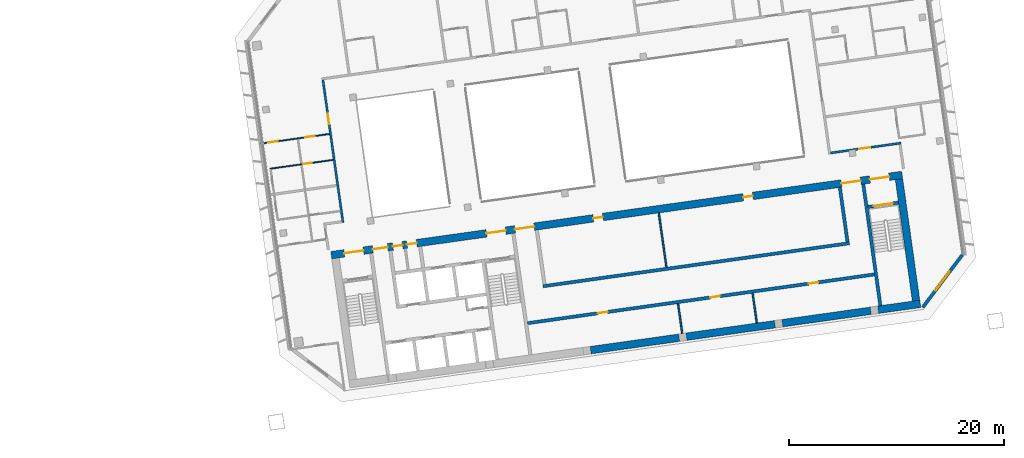
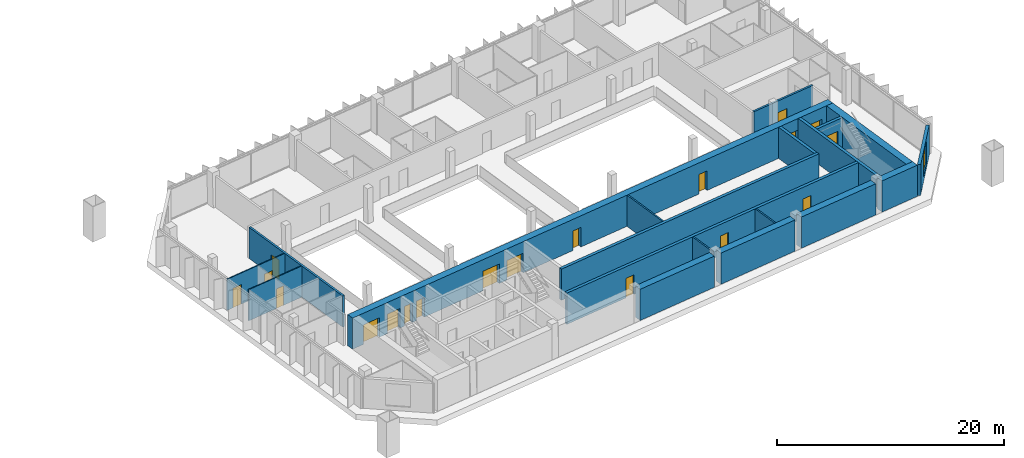
# One storey, part 21 of 26: 19 doors, 19 walls, 1 window, 20 openings.
"""IFC4 building model written with IfcOpenShell, lengths in metres."""

from ifc_helpers import new_model, si_unit, direction, frame, frame_2d, origin, place, context, subcontext, project, spatial, rectangle, extrude, material, layer, layer_set, type_object, element, fill, save


model = new_model("IFC4")

# Units and contexts
model_context = context("Model", 3, precision=1e-05, world=origin(), true_north=direction((0.0, 1.0)))
body_context = subcontext(model_context, "Body", "Model", "MODEL_VIEW")
ifc_project = project(units=[si_unit("LENGTHUNIT", "METRE"), si_unit("AREAUNIT", "SQUARE_METRE"), si_unit("VOLUMEUNIT", "CUBIC_METRE"), si_unit("PLANEANGLEUNIT", "RADIAN"), si_unit("MASSUNIT", "GRAM", prefix="KILO")], contexts=[model_context])

# Site, building, storey
site_placement = place(None, origin())
site = spatial("IfcSite", under=ifc_project, at=site_placement, CompositionType="ELEMENT")
building_placement = place(site_placement, origin())
building = spatial("IfcBuilding", under=site, at=building_placement, Name="Mirante Cascada Hotel Towers", CompositionType="ELEMENT")
storey_placement = place(building_placement, frame((0.0, 0.0, 168.8)))
storey = spatial("IfcBuildingStorey", under=building, at=storey_placement, Name="L39", CompositionType="ELEMENT", Elevation=168.8)

# Wall, opening, door
ifc_material_1 = material(Name="Fire-rated plasterboard on metal studs")
ifc_layer_1 = layer(ifc_material_1, 0.2)
ifc_layer_set_1 = layer_set([ifc_layer_1], Name="Compartment wall 200 EI 120")
wall_type_1 = type_object("IfcWallType", Name="Compartment wall 200 EI 120", PredefinedType="PARTITIONING", material=ifc_layer_set_1)
wall_1_placement = place(storey_placement, frame((81.9671, 1.8701, 0.0), z_axis=(0.0, 0.0, 1.0), x_axis=(0.990269, 0.1391661, 0.0)))
wall_1 = element("IfcWall", 1, at=wall_1_placement, inside=storey, type_object=wall_type_1, Name="Wall 2-L39-04", PredefinedType="PARTITIONING", context=body_context, shape_type="SweptSolid", body=[
    extrude(rectangle(XDim=6.6, YDim=0.2, at=frame_2d((3.3, 0.0))), origin(), (0.0, 0.0, 1.0), 3.35),
])
opening_1_placement = place(wall_1_placement, frame((2.7, 0.0, 0.0)))
opening_1 = element("IfcOpeningElement", 2, at=opening_1_placement, cuts=wall_1, Name="Opening D2-L39-04", PredefinedType="OPENING", context=body_context, shape_type="SweptSolid", body=[
    extrude(rectangle(XDim=1.0, YDim=2.1, at=frame_2d((0.5, 1.05))), frame((0.0, 0.1, 0.0), z_axis=(0.0, -1.0, 0.0), x_axis=(1.0, 0.0, 0.0)), (0.0, 0.0, 1.0), 0.2),
])
ifc_material_2 = material(Name="Fire-rated timber door leaf", Category="wood")
door_type_1 = type_object("IfcDoorType", Name="Entrance door DG1 1000x2100 EI 60", OperationType="SINGLE_SWING_LEFT", PredefinedType="DOOR", material=ifc_material_2)
door_1_placement = place(opening_1_placement, frame((1.0, 0.0, 0.0), z_axis=(0.0, 0.0, 1.0), x_axis=(-1.0, 0.0, 0.0)))
door_1 = element("IfcDoor", 3, at=door_1_placement, inside=storey, type_object=door_type_1, Name="Door D2-L39-04", OperationType="SINGLE_SWING_RIGHT", OverallHeight=2.1, OverallWidth=1.0, PredefinedType="DOOR", context=body_context, shape_type="SweptSolid", body=[
    extrude(rectangle(XDim=1.0, YDim=2.1, at=frame_2d((0.5, 1.05))), frame((0.0, 0.025, 0.0), z_axis=(0.0, -1.0, 0.0), x_axis=(1.0, 0.0, 0.0)), (0.0, 0.0, 1.0), 0.05),
])
fill(opening_1, door_1)

wall_2_placement = place(storey_placement, frame((34.7618, 8.6665, 0.0), z_axis=(0.0, 0.0, 1.0), x_axis=(0.1391789, -0.9902673, 0.0)))
wall_2 = element("IfcWall", 4, at=wall_2_placement, inside=storey, type_object=wall_type_1, Name="Wall 2-L39-29", PredefinedType="PARTITIONING", context=body_context, shape_type="SweptSolid", body=[
    extrude(rectangle(XDim=13.4, YDim=0.2, at=frame_2d((6.7, 0.0))), origin(), (0.0, 0.0, 1.0), 3.35),
])
opening_2_placement = place(wall_2_placement, frame((3.1834, 0.0, 0.0)))
opening_2 = element("IfcOpeningElement", 5, at=opening_2_placement, cuts=wall_2, Name="Opening D2-L39-28", PredefinedType="OPENING", context=body_context, shape_type="SweptSolid", body=[
    extrude(rectangle(XDim=1.0, YDim=2.1, at=frame_2d((0.5, 1.05))), frame((0.0, 0.1, 0.0), z_axis=(0.0, -1.0, 0.0), x_axis=(1.0, 0.0, 0.0)), (0.0, 0.0, 1.0), 0.2),
])
door_2_placement = place(opening_2_placement, frame((1.0, 0.0, 0.0), z_axis=(0.0, 0.0, 1.0), x_axis=(-1.0, 0.0, 0.0)))
door_2 = element("IfcDoor", 6, at=door_2_placement, inside=storey, type_object=door_type_1, Name="Door D2-L39-28", OperationType="SINGLE_SWING_RIGHT", OverallHeight=2.1, OverallWidth=1.0, PredefinedType="DOOR", context=body_context, shape_type="SweptSolid", body=[
    extrude(rectangle(XDim=1.0, YDim=2.1, at=frame_2d((0.5, 1.05))), frame((0.0, 0.025, 0.0), z_axis=(0.0, -1.0, 0.0), x_axis=(1.0, 0.0, 0.0)), (0.0, 0.0, 1.0), 0.05),
])
fill(opening_2, door_2)

# Walls
ifc_material_3 = material(Name="Masonry block", Category="masonry")
ifc_layer_2 = layer(ifc_material_3, 0.15)
ifc_layer_set_2 = layer_set([ifc_layer_2], Name="Core room partition 150 block EI 30")
wall_type_2 = type_object("IfcWallType", Name="Core room partition 150 block EI 30", PredefinedType="PARTITIONING", material=ifc_layer_set_2)
for number, where, z_axis, x_axis, name in (
    (7, (68.1687, -14.9136, 0.0), (0.0, 0.0, 1.0), (-0.139181, 0.990267, 0.0), "Core wall partition T2 L39 6"),
    (8, (75.1006, -13.9394, 0.0), (0.0, 0.0, 1.0), (-0.139181, 0.990267, 0.0), "Core wall partition T2 L39 7"),
):
    element("IfcWall", number, at=place(storey_placement, frame(where, z_axis=z_axis, x_axis=x_axis)), inside=storey, type_object=wall_type_2, Name=name, PredefinedType="PARTITIONING", context=body_context, shape_type="SweptSolid", body=[
        extrude(rectangle(XDim=2.8, YDim=0.15, at=frame_2d((1.4, 0.0))), origin(), (0.0, 0.0, 1.0), 3.35),
    ])
wall_3_placement = place(storey_placement, frame((66.6977, -8.7584, 0.0), z_axis=(0.0, 0.0, 1.0), x_axis=(-0.1391782, 0.9902673, 0.0)))
element("IfcWall", 9, at=wall_3_placement, inside=storey, type_object=wall_type_2, Name="Core wall partition T2 L39 8", PredefinedType="PARTITIONING", context=body_context, shape_type="SweptSolid", body=[
    extrude(rectangle(XDim=5.0999, YDim=0.15, at=frame_2d((2.55, 0.0))), origin(), (0.0, 0.0, 1.0), 3.35),
])

# Wall, openings, doors
ifc_material_4 = material(Name="Masonry block", Category="masonry")
ifc_layer_3 = layer(ifc_material_4, 0.3)
ifc_layer_set_3 = layer_set([ifc_layer_3], Name="Core wall 300 block EI 120")
wall_type_3 = type_object("IfcWallType", Name="Core wall 300 block EI 120", PredefinedType="PARTITIONING", material=ifc_layer_set_3)
wall_4_placement = place(storey_placement, frame((53.7953, -13.9547, 0.0), z_axis=(0.0, 0.0, 1.0), x_axis=(0.990268, 0.1391733, 0.0)))
wall_4 = element("IfcWall", 10, at=wall_4_placement, inside=storey, type_object=wall_type_3, Name="Core wall partition T2 L39 5", PredefinedType="PARTITIONING", context=body_context, shape_type="SweptSolid", body=[
    extrude(rectangle(XDim=32.5501, YDim=0.3, at=frame_2d((16.275, 0.0))), origin(), (0.0, 0.0, 1.0), 3.35),
])
opening_3_placement = place(wall_4_placement, frame((6.6, 0.0, 0.0)))
opening_3 = element("IfcOpeningElement", 11, at=opening_3_placement, cuts=wall_4, Name="Opening D2-39-C20", PredefinedType="OPENING", context=body_context, shape_type="SweptSolid", body=[
    extrude(rectangle(XDim=0.9, YDim=2.1, at=frame_2d((0.45, 1.05))), frame((0.0, 0.15, 0.0), z_axis=(0.0, -1.0, 0.0), x_axis=(1.0, 0.0, 0.0)), (0.0, 0.0, 1.0), 0.3),
])
opening_4_placement = place(wall_4_placement, frame((17.15, 0.0, 0.0)))
opening_4 = element("IfcOpeningElement", 12, at=opening_4_placement, cuts=wall_4, Name="Opening D2-39-C21", PredefinedType="OPENING", context=body_context, shape_type="SweptSolid", body=[
    extrude(rectangle(XDim=0.9, YDim=2.1, at=frame_2d((0.45, 1.05))), frame((0.0, 0.15, 0.0), z_axis=(0.0, -1.0, 0.0), x_axis=(1.0, 0.0, 0.0)), (0.0, 0.0, 1.0), 0.3),
])
opening_5_placement = place(wall_4_placement, frame((26.375, 0.0, 0.0)))
opening_5 = element("IfcOpeningElement", 13, at=opening_5_placement, cuts=wall_4, Name="Opening D2-39-C22", PredefinedType="OPENING", context=body_context, shape_type="SweptSolid", body=[
    extrude(rectangle(XDim=0.9, YDim=2.1, at=frame_2d((0.45, 1.05))), frame((0.0, 0.15, 0.0), z_axis=(0.0, -1.0, 0.0), x_axis=(1.0, 0.0, 0.0)), (0.0, 0.0, 1.0), 0.3),
])
ifc_material_5 = material(Name="Hollow metal fire door leaf")
door_type_2 = type_object("IfcDoorType", Name="Fire door 900x2100 FD60", OperationType="NOTDEFINED", PredefinedType="DOOR", material=ifc_material_5)
door_3_placement = place(opening_3_placement, frame((0.9, 0.0, 0.0), z_axis=(0.0, 0.0, 1.0), x_axis=(-1.0, 0.0, 0.0)))
door_3 = element("IfcDoor", 14, at=door_3_placement, inside=storey, type_object=door_type_2, Name="Room door T2 L39 20", OperationType="SINGLE_SWING_LEFT", OverallHeight=2.1, OverallWidth=0.9, PredefinedType="DOOR", context=body_context, shape_type="SweptSolid", body=[
    extrude(rectangle(XDim=0.9, YDim=2.1, at=frame_2d((0.45, 1.05))), frame((0.0, 0.025, 0.0), z_axis=(0.0, -1.0, 0.0), x_axis=(1.0, 0.0, 0.0)), (0.0, 0.0, 1.0), 0.05),
])
fill(opening_3, door_3)
door_4_placement = place(opening_4_placement, frame((0.9, 0.0, 0.0), z_axis=(0.0, 0.0, 1.0), x_axis=(-1.0, 0.0, 0.0)))
door_4 = element("IfcDoor", 15, at=door_4_placement, inside=storey, type_object=door_type_2, Name="Room door T2 L39 21", OperationType="SINGLE_SWING_RIGHT", OverallHeight=2.1, OverallWidth=0.9, PredefinedType="DOOR", context=body_context, shape_type="SweptSolid", body=[
    extrude(rectangle(XDim=0.9, YDim=2.1, at=frame_2d((0.45, 1.05))), frame((0.0, 0.025, 0.0), z_axis=(0.0, -1.0, 0.0), x_axis=(1.0, 0.0, 0.0)), (0.0, 0.0, 1.0), 0.05),
])
fill(opening_4, door_4)
door_5_placement = place(opening_5_placement, frame((0.9, 0.0, 0.0), z_axis=(0.0, 0.0, 1.0), x_axis=(-1.0, 0.0, 0.0)))
door_5 = element("IfcDoor", 16, at=door_5_placement, inside=storey, type_object=door_type_2, Name="Room door T2 L39 22", OperationType="SINGLE_SWING_RIGHT", OverallHeight=2.1, OverallWidth=0.9, PredefinedType="DOOR", context=body_context, shape_type="SweptSolid", body=[
    extrude(rectangle(XDim=0.9, YDim=2.1, at=frame_2d((0.45, 1.05))), frame((0.0, 0.025, 0.0), z_axis=(0.0, -1.0, 0.0), x_axis=(1.0, 0.0, 0.0)), (0.0, 0.0, 1.0), 0.05),
])
fill(opening_5, door_5)

# Wall, opening, door
ifc_material_6 = material(Name="Plasterboard on metal studs")
ifc_layer_4 = layer(ifc_material_6, 0.1)
ifc_layer_set_4 = layer_set([ifc_layer_4], Name="Partition 100")
wall_type_4 = type_object("IfcWallType", Name="Partition 100", PredefinedType="PARTITIONING", material=ifc_layer_set_4)
wall_5_placement = place(storey_placement, frame((35.7066, 1.2256, 0.0), z_axis=(0.0, 0.0, 1.0), x_axis=(-0.990269, -0.1391668, 0.0)))
wall_5 = element("IfcWall", 17, at=wall_5_placement, inside=storey, type_object=wall_type_4, Name="Wall 2-L39-09", PredefinedType="PARTITIONING", context=body_context, shape_type="SweptSolid", body=[
    extrude(rectangle(XDim=5.9188, YDim=0.1, at=frame_2d((2.9594, 0.0))), origin(), (0.0, 0.0, 1.0), 3.35),
])
opening_6_placement = place(wall_5_placement, frame((2.0188, 0.0, 0.0)))
opening_6 = element("IfcOpeningElement", 18, at=opening_6_placement, cuts=wall_5, Name="Opening D2-L39-06", PredefinedType="OPENING", context=body_context, shape_type="SweptSolid", body=[
    extrude(rectangle(XDim=0.8, YDim=2.1, at=frame_2d((0.4, 1.05))), frame((0.0, 0.05, 0.0), z_axis=(0.0, -1.0, 0.0), x_axis=(1.0, 0.0, 0.0)), (0.0, 0.0, 1.0), 0.1),
])
ifc_material_7 = material(Name="Timber door leaf", Category="wood")
door_type_3 = type_object("IfcDoorType", Name="Bathroom door DG4 800x2100", OperationType="SINGLE_SWING_LEFT", PredefinedType="DOOR", material=ifc_material_7)
door_6_placement = place(opening_6_placement, frame((0.8, 0.0, 0.0), z_axis=(0.0, 0.0, 1.0), x_axis=(-1.0, 0.0, 0.0)))
door_6 = element("IfcDoor", 19, at=door_6_placement, inside=storey, type_object=door_type_3, Name="Door D2-L39-06", OperationType="SINGLE_SWING_RIGHT", OverallHeight=2.1, OverallWidth=0.8, PredefinedType="DOOR", context=body_context, shape_type="SweptSolid", body=[
    extrude(rectangle(XDim=0.8, YDim=2.1, at=frame_2d((0.4, 1.05))), frame((0.0, 0.025, 0.0), z_axis=(0.0, -1.0, 0.0), x_axis=(1.0, 0.0, 0.0)), (0.0, 0.0, 1.0), 0.05),
])
fill(opening_6, door_6)

# Wall, openings, doors
wall_6_placement = place(storey_placement, frame((28.9929, 2.7393, 0.0), z_axis=(0.0, 0.0, 1.0), x_axis=(0.9902694, 0.1391637, 0.0)))
wall_6 = element("IfcWall", 20, at=wall_6_placement, inside=storey, type_object=wall_type_4, Name="Wall 2-L39-10", PredefinedType="PARTITIONING", context=body_context, shape_type="SweptSolid", body=[
    extrude(rectangle(XDim=6.4377, YDim=0.1, at=frame_2d((3.2189, 0.0))), origin(), (0.0, 0.0, 1.0), 3.35),
])
opening_7_placement = place(wall_6_placement, frame((0.6844, 0.0, 0.0)))
opening_7 = element("IfcOpeningElement", 21, at=opening_7_placement, cuts=wall_6, Name="Opening D2-L39-07", PredefinedType="OPENING", context=body_context, shape_type="SweptSolid", body=[
    extrude(rectangle(XDim=0.9, YDim=2.1, at=frame_2d((0.45, 1.05))), frame((0.0, 0.05, 0.0), z_axis=(0.0, -1.0, 0.0), x_axis=(1.0, 0.0, 0.0)), (0.0, 0.0, 1.0), 0.1),
])
opening_8_placement = place(wall_6_placement, frame((4.1533, 0.0, 0.0)))
opening_8 = element("IfcOpeningElement", 22, at=opening_8_placement, cuts=wall_6, Name="Opening D2-L39-08", PredefinedType="OPENING", context=body_context, shape_type="SweptSolid", body=[
    extrude(rectangle(XDim=0.9, YDim=2.1, at=frame_2d((0.45, 1.05))), frame((0.0, 0.05, 0.0), z_axis=(0.0, -1.0, 0.0), x_axis=(1.0, 0.0, 0.0)), (0.0, 0.0, 1.0), 0.1),
])
ifc_material_8 = material(Name="Timber door leaf", Category="wood")
door_type_4 = type_object("IfcDoorType", Name="Room door DG3 900x2100", OperationType="SINGLE_SWING_LEFT", PredefinedType="DOOR", material=ifc_material_8)
door_7_placement = place(opening_7_placement, origin())
door_7 = element("IfcDoor", 23, at=door_7_placement, inside=storey, type_object=door_type_4, Name="Door D2-L39-07", OperationType="SINGLE_SWING_LEFT", OverallHeight=2.1, OverallWidth=0.9, PredefinedType="DOOR", context=body_context, shape_type="SweptSolid", body=[
    extrude(rectangle(XDim=0.9, YDim=2.1, at=frame_2d((0.45, 1.05))), frame((0.0, 0.025, 0.0), z_axis=(0.0, -1.0, 0.0), x_axis=(1.0, 0.0, 0.0)), (0.0, 0.0, 1.0), 0.05),
])
fill(opening_7, door_7)
door_8_placement = place(opening_8_placement, origin())
door_8 = element("IfcDoor", 24, at=door_8_placement, inside=storey, type_object=door_type_4, Name="Door D2-L39-08", OperationType="SINGLE_SWING_LEFT", OverallHeight=2.1, OverallWidth=0.9, PredefinedType="DOOR", context=body_context, shape_type="SweptSolid", body=[
    extrude(rectangle(XDim=0.9, YDim=2.1, at=frame_2d((0.45, 1.05))), frame((0.0, 0.025, 0.0), z_axis=(0.0, -1.0, 0.0), x_axis=(1.0, 0.0, 0.0)), (0.0, 0.0, 1.0), 0.05),
])
fill(opening_8, door_8)

# Wall, opening, window
ifc_material_9 = material(Name="Precast concrete C40/50", Category="concrete")
ifc_layer_5 = layer(ifc_material_9, 0.3)
ifc_layer_set_5 = layer_set([ifc_layer_5], Name="Precast concrete C40/50 cladding wall 300")
wall_type_5 = type_object("IfcWallType", Name="Precast concrete C40/50 cladding wall 300", PredefinedType="STANDARD", material=ifc_layer_set_5)
wall_7_placement = place(storey_placement, frame((90.5299, -12.4841, 0.0), z_axis=(0.0, 0.0, 1.0), x_axis=(0.6018063, 0.7986421, 0.0)))
wall_7 = element("IfcWall", 25, at=wall_7_placement, inside=storey, type_object=wall_type_5, Name="Corner cladding wall T2 L39 rear outer", PredefinedType="STANDARD", context=body_context, shape_type="SweptSolid", body=[
    extrude(rectangle(XDim=6.1158, YDim=0.3, at=frame_2d((3.0579, 0.0))), origin(), (0.0, 0.0, 1.0), 3.35),
])
opening_9_placement = place(wall_7_placement, frame((1.9578, 0.0, 0.6)))
opening_9 = element("IfcOpeningElement", 26, at=opening_9_placement, cuts=wall_7, Name="Opening W2-39-01", PredefinedType="OPENING", context=body_context, shape_type="SweptSolid", body=[
    extrude(rectangle(XDim=2.2, YDim=2.4, at=frame_2d((1.1, 1.2))), frame((0.0, 0.15, 0.0), z_axis=(0.0, -1.0, 0.0), x_axis=(1.0, 0.0, 0.0)), (0.0, 0.0, 1.0), 0.3),
])
ifc_material_10 = material(Name="Aluminium frame with clear double glazing", Category="aluminium")
window_type = type_object("IfcWindowType", Name="Corner suite window 2200x2400", PartitioningType="DOUBLE_PANEL_VERTICAL", PredefinedType="WINDOW", material=ifc_material_10)
window_placement = place(opening_9_placement, origin())
window = element("IfcWindow", 27, at=window_placement, inside=storey, type_object=window_type, Name="Window W2-39-01", OverallHeight=2.4, OverallWidth=2.2, PartitioningType="SINGLE_PANEL", PredefinedType="WINDOW", context=body_context, shape_type="SweptSolid", body=[
    extrude(rectangle(XDim=2.2, YDim=2.4, at=frame_2d((1.1, 1.2))), frame((0.0, 0.03, 0.0), z_axis=(0.0, -1.0, 0.0), x_axis=(1.0, 0.0, 0.0)), (0.0, 0.0, 1.0), 0.06),
])
fill(opening_9, window)

# Wall
ifc_material_11 = material(Name="Concrete C50/60", Category="concrete")
ifc_layer_6 = layer(ifc_material_11, 0.3)
ifc_layer_set_6 = layer_set([ifc_layer_6], Name="RC core wall 300 C50/60")
wall_type_6 = type_object("IfcWallType", Name="RC core wall 300 C50/60", PredefinedType="SHEAR", material=ifc_layer_set_6)
wall_8_placement = place(storey_placement, frame((86.5877, -12.325, 0.0), z_axis=(0.0, 0.0, 1.0), x_axis=(-0.1391749, 0.9902678, 0.0)))
element("IfcWall", 28, at=wall_8_placement, inside=storey, type_object=wall_type_6, Name="Core wall T2:L39:8", PredefinedType="SHEAR", context=body_context, shape_type="SweptSolid", body=[
    extrude(rectangle(XDim=11.4, YDim=0.3, at=frame_2d((5.7, 0.0))), origin(), (0.0, 0.0, 1.0), 3.35),
])

# Wall, opening, door
wall_9_placement = place(storey_placement, frame((85.4489, -3.1441, 0.0), z_axis=(0.0, 0.0, 1.0), x_axis=(0.9902697, 0.1391613, 0.0)))
wall_9 = element("IfcWall", 29, at=wall_9_placement, inside=storey, type_object=wall_type_6, Name="Core wall T2:L39:11", PredefinedType="SHEAR", context=body_context, shape_type="SweptSolid", body=[
    extrude(rectangle(XDim=2.8499, YDim=0.3, at=frame_2d((1.425, 0.0))), origin(), (0.0, 0.0, 1.0), 3.35),
])
opening_10_placement = place(wall_9_placement, frame((0.525, 0.0, 0.0)))
opening_10 = element("IfcOpeningElement", 30, at=opening_10_placement, cuts=wall_9, Name="Opening D2-39-C11", PredefinedType="OPENING", context=body_context, shape_type="SweptSolid", body=[
    extrude(rectangle(XDim=1.8, YDim=2.1, at=frame_2d((0.9, 1.05))), frame((0.0, 0.15, 0.0), z_axis=(0.0, -1.0, 0.0), x_axis=(1.0, 0.0, 0.0)), (0.0, 0.0, 1.0), 0.3),
])
ifc_material_12 = material(Name="Hollow metal fire door leaf")
door_type_5 = type_object("IfcDoorType", Name="Double fire door 1800x2100 FD60", OperationType="DOUBLE_DOOR_SINGLE_SWING", PredefinedType="DOOR", material=ifc_material_12)
door_9_placement = place(opening_10_placement, frame((1.8, 0.0, 0.0), z_axis=(0.0, 0.0, 1.0), x_axis=(-1.0, 0.0, 0.0)))
door_9 = element("IfcDoor", 31, at=door_9_placement, inside=storey, type_object=door_type_5, Name="Stair door T2 L39 11", OperationType="DOUBLE_DOOR_SINGLE_SWING", OverallHeight=2.1, OverallWidth=1.8, PredefinedType="DOOR", context=body_context, shape_type="SweptSolid", body=[
    extrude(rectangle(XDim=0.895, YDim=2.1, at=frame_2d((0.4475, 1.05))), frame((0.0, 0.025, 0.0), z_axis=(0.0, -1.0, 0.0), x_axis=(1.0, 0.0, 0.0)), (0.0, 0.0, 1.0), 0.05),
    extrude(rectangle(XDim=0.895, YDim=2.1, at=frame_2d((1.3525, 1.05))), frame((0.0, 0.025, 0.0), z_axis=(0.0, -1.0, 0.0), x_axis=(1.0, 0.0, 0.0)), (0.0, 0.0, 1.0), 0.05),
])
fill(opening_10, door_9)

# Walls
wall_10_placement = place(storey_placement, frame((55.2315, -10.5214, 0.0), z_axis=(0.0, 0.0, 1.0), x_axis=(0.9902682, 0.1391722, 0.0)))
element("IfcWall", 32, at=wall_10_placement, inside=storey, type_object=wall_type_6, Name="Core wall T2:L39:28", PredefinedType="SHEAR", context=body_context, shape_type="SweptSolid", body=[
    extrude(rectangle(XDim=28.75, YDim=0.3, at=frame_2d((14.375, 0.0))), origin(), (0.0, 0.0, 1.0), 3.35),
])
wall_11_placement = place(storey_placement, frame((83.5323, -6.3925, 0.0), z_axis=(0.0, 0.0, 1.0), x_axis=(-0.1391755, 0.9902677, 0.0)))
element("IfcWall", 33, at=wall_11_placement, inside=storey, type_object=wall_type_6, Name="Core wall T2:L39:30", PredefinedType="SHEAR", context=body_context, shape_type="SweptSolid", body=[
    extrude(rectangle(XDim=5.1, YDim=0.3, at=frame_2d((2.55, 0.0))), origin(), (0.0, 0.0, 1.0), 3.35),
])
ifc_material_13 = material(Name="Concrete C50/60", Category="concrete")
ifc_layer_7 = layer(ifc_material_13, 0.7)
ifc_layer_set_7 = layer_set([ifc_layer_7], Name="RC core wall 700 C50/60")
wall_type_7 = type_object("IfcWallType", Name="RC core wall 700 C50/60", PredefinedType="SHEAR", material=ifc_layer_set_7)
for number, where, z_axis, x_axis, name in (
    (34, (59.6516, -16.4641, 0.0), (0.0, 0.0, 1.0), (0.990267, 0.139181, 0.0), "Core wall T2:L39:1.4"),
    (35, (68.564, -15.2115, 0.0), (0.0, 0.0, 1.0), (0.9902686, 0.1391692, 0.0), "Core wall T2:L39:1.5"),
    (36, (77.4764, -13.9589, 0.0), (0.0, 0.0, 1.0), (0.9902686, 0.1391692, 0.0), "Core wall T2:L39:1.6"),
):
    element("IfcWall", number, at=place(storey_placement, frame(where, z_axis=z_axis, x_axis=x_axis)), inside=storey, type_object=wall_type_7, Name=name, PredefinedType="SHEAR", context=body_context, shape_type="SweptSolid", body=[
        extrude(rectangle(XDim=8.3, YDim=0.7, at=frame_2d((4.15, 0.0))), origin(), (0.0, 0.0, 1.0), 3.35),
    ])
wall_12_placement = place(storey_placement, frame((86.3888, -12.7064, 0.0), z_axis=(0.0, 0.0, 1.0), x_axis=(0.9902694, 0.1391633, 0.0)))
element("IfcWall", 37, at=wall_12_placement, inside=storey, type_object=wall_type_7, Name="Core wall T2:L39:1.7", PredefinedType="SHEAR", context=body_context, shape_type="SweptSolid", body=[
    extrude(rectangle(XDim=3.95, YDim=0.7, at=frame_2d((1.975, 0.0))), origin(), (0.0, 0.0, 1.0), 3.35),
])

# Wall, openings, doors
wall_13_placement = place(storey_placement, frame((35.538, -7.6341, 0.0), z_axis=(0.0, 0.0, 1.0), x_axis=(0.990268, 0.1391734, 0.0)))
wall_13 = element("IfcWall", 38, at=wall_13_placement, inside=storey, type_object=wall_type_7, Name="Core wall T2:L39:2", PredefinedType="SHEAR", context=body_context, shape_type="SweptSolid", body=[
    extrude(rectangle(XDim=53.6, YDim=0.7, at=frame_2d((26.8, 0.0))), origin(), (0.0, 0.0, 1.0), 3.35),
])
opening_11_placement = place(wall_13_placement, frame((1.225, 0.0, 0.0)))
opening_11 = element("IfcOpeningElement", 39, at=opening_11_placement, cuts=wall_13, Name="Opening D2-39-C08", PredefinedType="OPENING", context=body_context, shape_type="SweptSolid", body=[
    extrude(rectangle(XDim=1.8, YDim=2.1, at=frame_2d((0.9, 1.05))), frame((0.0, 0.35, 0.0), z_axis=(0.0, -1.0, 0.0), x_axis=(1.0, 0.0, 0.0)), (0.0, 0.0, 1.0), 0.7),
])
opening_12_placement = place(wall_13_placement, frame((14.575, 0.0, 0.0)))
opening_12 = element("IfcOpeningElement", 40, at=opening_12_placement, cuts=wall_13, Name="Opening D2-39-C10", PredefinedType="OPENING", context=body_context, shape_type="SweptSolid", body=[
    extrude(rectangle(XDim=1.8, YDim=2.1, at=frame_2d((0.9, 1.05))), frame((0.0, 0.35, 0.0), z_axis=(0.0, -1.0, 0.0), x_axis=(1.0, 0.0, 0.0)), (0.0, 0.0, 1.0), 0.7),
])
opening_13_placement = place(wall_13_placement, frame((50.575, 0.0, 0.0)))
opening_13 = element("IfcOpeningElement", 41, at=opening_13_placement, cuts=wall_13, Name="Opening D2-39-C12", PredefinedType="OPENING", context=body_context, shape_type="SweptSolid", body=[
    extrude(rectangle(XDim=1.8, YDim=2.1, at=frame_2d((0.9, 1.05))), frame((0.0, 0.35, 0.0), z_axis=(0.0, -1.0, 0.0), x_axis=(1.0, 0.0, 0.0)), (0.0, 0.0, 1.0), 0.7),
])
opening_14_placement = place(wall_13_placement, frame((3.9, 0.0, 0.0)))
opening_14 = element("IfcOpeningElement", 42, at=opening_14_placement, cuts=wall_13, Name="Opening D2-39-C13", PredefinedType="OPENING", context=body_context, shape_type="SweptSolid", body=[
    extrude(rectangle(XDim=1.4, YDim=2.1, at=frame_2d((0.7, 1.05))), frame((0.0, 0.35, 0.0), z_axis=(0.0, -1.0, 0.0), x_axis=(1.0, 0.0, 0.0)), (0.0, 0.0, 1.0), 0.7),
])
opening_15_placement = place(wall_13_placement, frame((17.25, 0.0, 0.0)))
opening_15 = element("IfcOpeningElement", 43, at=opening_15_placement, cuts=wall_13, Name="Opening D2-39-C14", PredefinedType="OPENING", context=body_context, shape_type="SweptSolid", body=[
    extrude(rectangle(XDim=1.8, YDim=2.1, at=frame_2d((0.9, 1.05))), frame((0.0, 0.35, 0.0), z_axis=(0.0, -1.0, 0.0), x_axis=(1.0, 0.0, 0.0)), (0.0, 0.0, 1.0), 0.7),
])
opening_16_placement = place(wall_13_placement, frame((47.9, 0.0, 0.0)))
opening_16 = element("IfcOpeningElement", 44, at=opening_16_placement, cuts=wall_13, Name="Opening D2-39-C15", PredefinedType="OPENING", context=body_context, shape_type="SweptSolid", body=[
    extrude(rectangle(XDim=1.8, YDim=2.1, at=frame_2d((0.9, 1.05))), frame((0.0, 0.35, 0.0), z_axis=(0.0, -1.0, 0.0), x_axis=(1.0, 0.0, 0.0)), (0.0, 0.0, 1.0), 0.7),
])
opening_17_placement = place(wall_13_placement, frame((5.7875, 0.0, 0.0)))
opening_17 = element("IfcOpeningElement", 45, at=opening_17_placement, cuts=wall_13, Name="Opening D2-39-C18", PredefinedType="OPENING", context=body_context, shape_type="SweptSolid", body=[
    extrude(rectangle(XDim=0.9, YDim=2.1, at=frame_2d((0.45, 1.05))), frame((0.0, 0.35, 0.0), z_axis=(0.0, -1.0, 0.0), x_axis=(1.0, 0.0, 0.0)), (0.0, 0.0, 1.0), 0.7),
])
opening_18_placement = place(wall_13_placement, frame((7.1125, 0.0, 0.0)))
opening_18 = element("IfcOpeningElement", 46, at=opening_18_placement, cuts=wall_13, Name="Opening D2-39-C19", PredefinedType="OPENING", context=body_context, shape_type="SweptSolid", body=[
    extrude(rectangle(XDim=0.9, YDim=2.1, at=frame_2d((0.45, 1.05))), frame((0.0, 0.35, 0.0), z_axis=(0.0, -1.0, 0.0), x_axis=(1.0, 0.0, 0.0)), (0.0, 0.0, 1.0), 0.7),
])
opening_19_placement = place(wall_13_placement, frame((24.6, 0.0, 0.0)))
opening_19 = element("IfcOpeningElement", 47, at=opening_19_placement, cuts=wall_13, Name="Opening D2-39-C23", PredefinedType="OPENING", context=body_context, shape_type="SweptSolid", body=[
    extrude(rectangle(XDim=0.9, YDim=2.1, at=frame_2d((0.45, 1.05))), frame((0.0, 0.35, 0.0), z_axis=(0.0, -1.0, 0.0), x_axis=(1.0, 0.0, 0.0)), (0.0, 0.0, 1.0), 0.7),
])
opening_20_placement = place(wall_13_placement, frame((38.675, 0.0, 0.0)))
opening_20 = element("IfcOpeningElement", 48, at=opening_20_placement, cuts=wall_13, Name="Opening D2-39-C24", PredefinedType="OPENING", context=body_context, shape_type="SweptSolid", body=[
    extrude(rectangle(XDim=0.9, YDim=2.1, at=frame_2d((0.45, 1.05))), frame((0.0, 0.35, 0.0), z_axis=(0.0, -1.0, 0.0), x_axis=(1.0, 0.0, 0.0)), (0.0, 0.0, 1.0), 0.7),
])
ifc_material_14 = material(Name="Hollow metal fire door leaf")
door_type_6 = type_object("IfcDoorType", Name="Double fire door 1400x2100 FD60", OperationType="DOUBLE_DOOR_SINGLE_SWING", PredefinedType="DOOR", material=ifc_material_14)
door_10_placement = place(opening_14_placement, origin())
door_10 = element("IfcDoor", 49, at=door_10_placement, inside=storey, type_object=door_type_6, Name="Exit door to gallery T2 L39 13", OperationType="DOUBLE_DOOR_SINGLE_SWING", OverallHeight=2.1, OverallWidth=1.4, PredefinedType="DOOR", context=body_context, shape_type="SweptSolid", body=[
    extrude(rectangle(XDim=0.695, YDim=2.1, at=frame_2d((0.3475, 1.05))), frame((0.0, 0.025, 0.0), z_axis=(0.0, -1.0, 0.0), x_axis=(1.0, 0.0, 0.0)), (0.0, 0.0, 1.0), 0.05),
    extrude(rectangle(XDim=0.695, YDim=2.1, at=frame_2d((1.0525, 1.05))), frame((0.0, 0.025, 0.0), z_axis=(0.0, -1.0, 0.0), x_axis=(1.0, 0.0, 0.0)), (0.0, 0.0, 1.0), 0.05),
])
fill(opening_14, door_10)
door_11_placement = place(opening_11_placement, frame((1.8, 0.0, 0.0), z_axis=(0.0, 0.0, 1.0), x_axis=(-1.0, 0.0, 0.0)))
door_11 = element("IfcDoor", 50, at=door_11_placement, inside=storey, type_object=door_type_5, Name="Exit door to gallery T2 L39 8", OperationType="DOUBLE_DOOR_SINGLE_SWING", OverallHeight=2.1, OverallWidth=1.8, PredefinedType="DOOR", context=body_context, shape_type="SweptSolid", body=[
    extrude(rectangle(XDim=0.895, YDim=2.1, at=frame_2d((0.4475, 1.05))), frame((0.0, 0.025, 0.0), z_axis=(0.0, -1.0, 0.0), x_axis=(1.0, 0.0, 0.0)), (0.0, 0.0, 1.0), 0.05),
    extrude(rectangle(XDim=0.895, YDim=2.1, at=frame_2d((1.3525, 1.05))), frame((0.0, 0.025, 0.0), z_axis=(0.0, -1.0, 0.0), x_axis=(1.0, 0.0, 0.0)), (0.0, 0.0, 1.0), 0.05),
])
fill(opening_11, door_11)
door_12_placement = place(opening_12_placement, frame((1.8, 0.0, 0.0), z_axis=(0.0, 0.0, 1.0), x_axis=(-1.0, 0.0, 0.0)))
door_12 = element("IfcDoor", 51, at=door_12_placement, inside=storey, type_object=door_type_5, Name="Exit door to gallery T2 L39 10", OperationType="DOUBLE_DOOR_SINGLE_SWING", OverallHeight=2.1, OverallWidth=1.8, PredefinedType="DOOR", context=body_context, shape_type="SweptSolid", body=[
    extrude(rectangle(XDim=0.895, YDim=2.1, at=frame_2d((0.4475, 1.05))), frame((0.0, 0.025, 0.0), z_axis=(0.0, -1.0, 0.0), x_axis=(1.0, 0.0, 0.0)), (0.0, 0.0, 1.0), 0.05),
    extrude(rectangle(XDim=0.895, YDim=2.1, at=frame_2d((1.3525, 1.05))), frame((0.0, 0.025, 0.0), z_axis=(0.0, -1.0, 0.0), x_axis=(1.0, 0.0, 0.0)), (0.0, 0.0, 1.0), 0.05),
])
fill(opening_12, door_12)
door_13_placement = place(opening_13_placement, frame((1.8, 0.0, 0.0), z_axis=(0.0, 0.0, 1.0), x_axis=(-1.0, 0.0, 0.0)))
door_13 = element("IfcDoor", 52, at=door_13_placement, inside=storey, type_object=door_type_5, Name="Exit door to gallery T2 L39 12", OperationType="DOUBLE_DOOR_SINGLE_SWING", OverallHeight=2.1, OverallWidth=1.8, PredefinedType="DOOR", context=body_context, shape_type="SweptSolid", body=[
    extrude(rectangle(XDim=0.895, YDim=2.1, at=frame_2d((0.4475, 1.05))), frame((0.0, 0.025, 0.0), z_axis=(0.0, -1.0, 0.0), x_axis=(1.0, 0.0, 0.0)), (0.0, 0.0, 1.0), 0.05),
    extrude(rectangle(XDim=0.895, YDim=2.1, at=frame_2d((1.3525, 1.05))), frame((0.0, 0.025, 0.0), z_axis=(0.0, -1.0, 0.0), x_axis=(1.0, 0.0, 0.0)), (0.0, 0.0, 1.0), 0.05),
])
fill(opening_13, door_13)
door_14_placement = place(opening_15_placement, origin())
door_14 = element("IfcDoor", 53, at=door_14_placement, inside=storey, type_object=door_type_5, Name="Exit door to gallery T2 L39 14", OperationType="DOUBLE_DOOR_SINGLE_SWING", OverallHeight=2.1, OverallWidth=1.8, PredefinedType="DOOR", context=body_context, shape_type="SweptSolid", body=[
    extrude(rectangle(XDim=0.895, YDim=2.1, at=frame_2d((0.4475, 1.05))), frame((0.0, 0.025, 0.0), z_axis=(0.0, -1.0, 0.0), x_axis=(1.0, 0.0, 0.0)), (0.0, 0.0, 1.0), 0.05),
    extrude(rectangle(XDim=0.895, YDim=2.1, at=frame_2d((1.3525, 1.05))), frame((0.0, 0.025, 0.0), z_axis=(0.0, -1.0, 0.0), x_axis=(1.0, 0.0, 0.0)), (0.0, 0.0, 1.0), 0.05),
])
fill(opening_15, door_14)
door_15_placement = place(opening_16_placement, origin())
door_15 = element("IfcDoor", 54, at=door_15_placement, inside=storey, type_object=door_type_5, Name="Exit door to gallery T2 L39 15", OperationType="DOUBLE_DOOR_SINGLE_SWING", OverallHeight=2.1, OverallWidth=1.8, PredefinedType="DOOR", context=body_context, shape_type="SweptSolid", body=[
    extrude(rectangle(XDim=0.895, YDim=2.1, at=frame_2d((0.4475, 1.05))), frame((0.0, 0.025, 0.0), z_axis=(0.0, -1.0, 0.0), x_axis=(1.0, 0.0, 0.0)), (0.0, 0.0, 1.0), 0.05),
    extrude(rectangle(XDim=0.895, YDim=2.1, at=frame_2d((1.3525, 1.05))), frame((0.0, 0.025, 0.0), z_axis=(0.0, -1.0, 0.0), x_axis=(1.0, 0.0, 0.0)), (0.0, 0.0, 1.0), 0.05),
])
fill(opening_16, door_15)
door_16_placement = place(opening_17_placement, frame((0.9, 0.0, 0.0), z_axis=(0.0, 0.0, 1.0), x_axis=(-1.0, 0.0, 0.0)))
door_16 = element("IfcDoor", 55, at=door_16_placement, inside=storey, type_object=door_type_2, Name="Room door T2 L39 18", OperationType="SINGLE_SWING_LEFT", OverallHeight=2.1, OverallWidth=0.9, PredefinedType="DOOR", context=body_context, shape_type="SweptSolid", body=[
    extrude(rectangle(XDim=0.9, YDim=2.1, at=frame_2d((0.45, 1.05))), frame((0.0, 0.025, 0.0), z_axis=(0.0, -1.0, 0.0), x_axis=(1.0, 0.0, 0.0)), (0.0, 0.0, 1.0), 0.05),
])
fill(opening_17, door_16)
door_17_placement = place(opening_18_placement, frame((0.9, 0.0, 0.0), z_axis=(0.0, 0.0, 1.0), x_axis=(-1.0, 0.0, 0.0)))
door_17 = element("IfcDoor", 56, at=door_17_placement, inside=storey, type_object=door_type_2, Name="Room door T2 L39 19", OperationType="SINGLE_SWING_LEFT", OverallHeight=2.1, OverallWidth=0.9, PredefinedType="DOOR", context=body_context, shape_type="SweptSolid", body=[
    extrude(rectangle(XDim=0.9, YDim=2.1, at=frame_2d((0.45, 1.05))), frame((0.0, 0.025, 0.0), z_axis=(0.0, -1.0, 0.0), x_axis=(1.0, 0.0, 0.0)), (0.0, 0.0, 1.0), 0.05),
])
fill(opening_18, door_17)
door_18_placement = place(opening_19_placement, frame((0.9, 0.0, 0.0), z_axis=(0.0, 0.0, 1.0), x_axis=(-1.0, 0.0, 0.0)))
door_18 = element("IfcDoor", 57, at=door_18_placement, inside=storey, type_object=door_type_2, Name="Room door T2 L39 23", OperationType="SINGLE_SWING_LEFT", OverallHeight=2.1, OverallWidth=0.9, PredefinedType="DOOR", context=body_context, shape_type="SweptSolid", body=[
    extrude(rectangle(XDim=0.9, YDim=2.1, at=frame_2d((0.45, 1.05))), frame((0.0, 0.025, 0.0), z_axis=(0.0, -1.0, 0.0), x_axis=(1.0, 0.0, 0.0)), (0.0, 0.0, 1.0), 0.05),
])
fill(opening_19, door_18)
door_19_placement = place(opening_20_placement, frame((0.9, 0.0, 0.0), z_axis=(0.0, 0.0, 1.0), x_axis=(-1.0, 0.0, 0.0)))
door_19 = element("IfcDoor", 58, at=door_19_placement, inside=storey, type_object=door_type_2, Name="Room door T2 L39 24", OperationType="SINGLE_SWING_RIGHT", OverallHeight=2.1, OverallWidth=0.9, PredefinedType="DOOR", context=body_context, shape_type="SweptSolid", body=[
    extrude(rectangle(XDim=0.9, YDim=2.1, at=frame_2d((0.45, 1.05))), frame((0.0, 0.025, 0.0), z_axis=(0.0, -1.0, 0.0), x_axis=(1.0, 0.0, 0.0)), (0.0, 0.0, 1.0), 0.05),
])
fill(opening_20, door_19)

# Wall
wall_14_placement = place(storey_placement, frame((89.9051, -11.8588, 0.0), z_axis=(0.0, 0.0, 1.0), x_axis=(-0.1391749, 0.9902678, 0.0)))
element("IfcWall", 59, at=wall_14_placement, inside=storey, type_object=wall_type_7, Name="Core wall T2:L39:4", PredefinedType="SHEAR", context=body_context, shape_type="SweptSolid", body=[
    extrude(rectangle(XDim=11.4, YDim=0.7, at=frame_2d((5.7, 0.0))), origin(), (0.0, 0.0, 1.0), 3.35),
])

save(model, "model.ifc")
